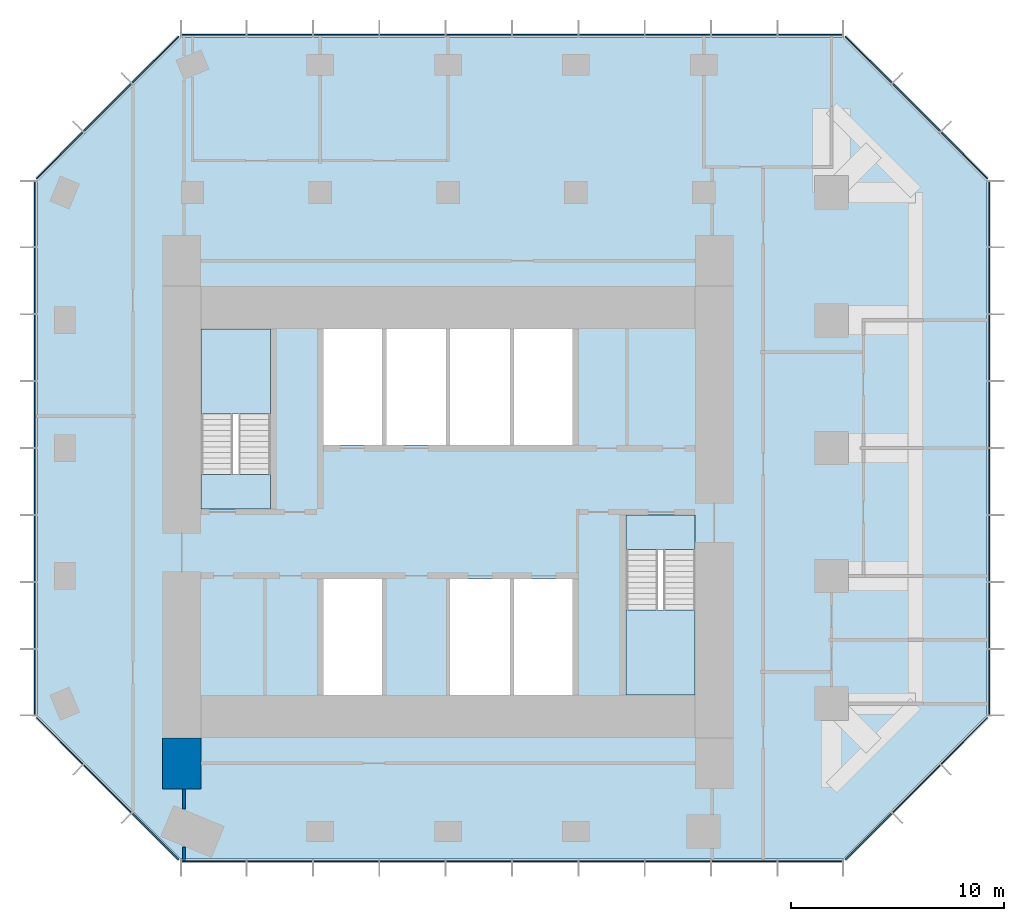
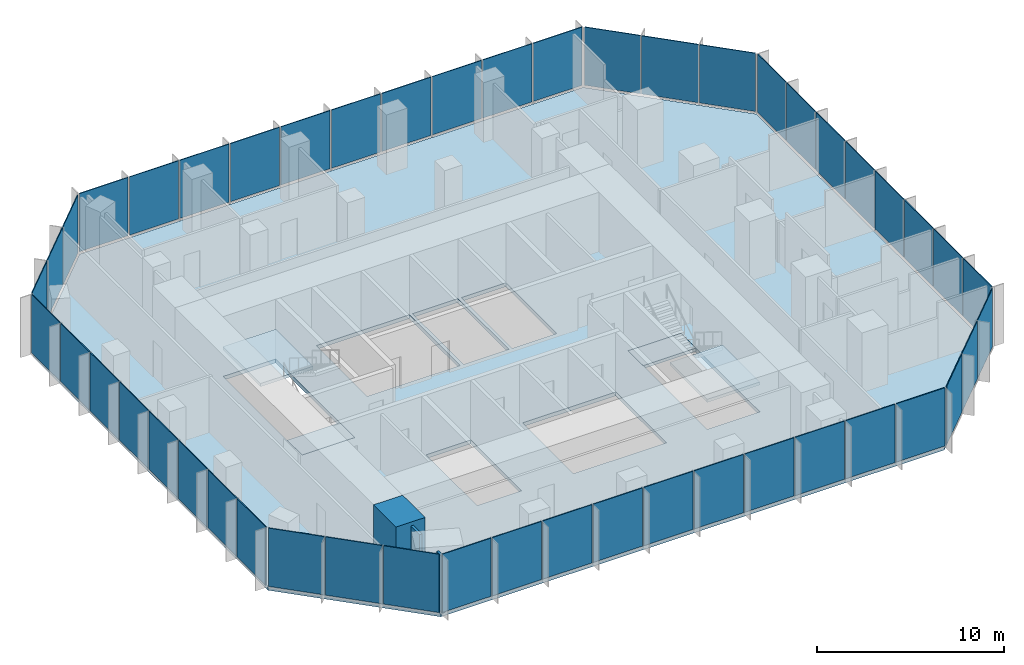
# One storey, part 7 of 11: 48 plates, 5 slabs, 3 walls, 10 elements without a shape of their own.
"""IFC4 building model written with IfcOpenShell, lengths in metres."""

from ifc_helpers import new_model, si_unit, direction, frame, frame_2d, origin, origin_2d, place, context, subcontext, project, spatial, polyline, rectangle, outline, extrude, material, layer, layer_set, type_object, element, aggregate, save


model = new_model("IFC4")

# Units and contexts
model_context = context("Model", 3, precision=1e-05, world=origin(), true_north=direction((0.0, 1.0)))
body_context = subcontext(model_context, "Body", "Model", "MODEL_VIEW")
ifc_project = project(units=[si_unit("LENGTHUNIT", "METRE"), si_unit("AREAUNIT", "SQUARE_METRE"), si_unit("VOLUMEUNIT", "CUBIC_METRE"), si_unit("PLANEANGLEUNIT", "RADIAN"), si_unit("MASSUNIT", "GRAM", prefix="KILO")], contexts=[model_context])

# Site, building, storey
site_placement = place(None, origin())
site = spatial("IfcSite", under=ifc_project, at=site_placement, CompositionType="ELEMENT")
building_placement = place(site_placement, origin())
building = spatial("IfcBuilding", under=site, at=building_placement, Name="Highveld Stack Headquarters", CompositionType="ELEMENT")
storey_placement = place(building_placement, frame((0.0, 0.0, 260.60009765625)))
storey = spatial("IfcBuildingStorey", under=building, at=storey_placement, Name="L64", CompositionType="ELEMENT", Elevation=260.60009765625)

# Curtain wall, plates
ifc_material_1 = material(Name="Aluminium bronze anodised", Category="aluminium")
ifc_layer_1 = layer(ifc_material_1, 0.199951171875)
ifc_layer_set_1 = layer_set([ifc_layer_1], Name="Aluminium bronze anodised")
curtain_wall_type = type_object("IfcCurtainWallType", Name="CW5 EXECUTIVE UNITISED CURTAIN WALL", PredefinedType="NOTDEFINED", material=ifc_layer_set_1)
curtain_wall_1_placement = place(storey_placement, origin())
curtain_wall_1 = element("IfcCurtainWall", 1, at=curtain_wall_1_placement, inside=storey, type_object=curtain_wall_type, Name="Curtain wall CW5 L64 S", PredefinedType="NOTDEFINED")
ifc_material_2 = material(Name="Glass bronze tinted triple glazed unit", Category="glass")
ifc_layer_2 = layer(ifc_material_2, 0.050048828125)
ifc_layer_set_2 = layer_set([ifc_layer_2], Name="Glass bronze tinted triple glazed unit")
plate_type = type_object("IfcPlateType", Name="CW5 PANEL BRONZE TINTED TRIPLE GLAZED UNIT", PredefinedType="CURTAIN_PANEL", material=ifc_layer_set_2)
plate_1_placement = place(storey_placement, frame((-5.005615234375, -13.39990234375, 0.10009765625), z_axis=(0.0, 0.0, 1.0), x_axis=(1.0, 0.0, 0.0)))
plate_1 = element("IfcPlate", 2, at=plate_1_placement, type_object=plate_type, Name="CW5 panel L64 1.1", PredefinedType="CURTAIN_PANEL", context=body_context, shape_type="SweptSolid", body=[
    extrude(rectangle(XDim=3.0185546875, YDim=0.050048828125, at=origin_2d()), origin(), (0.0, 0.0, 1.0), 3.800048828125),
])
plate_2_placement = place(storey_placement, frame((-1.906005859375, -13.39990234375, 0.10009765625), z_axis=(0.0, 0.0, 1.0), x_axis=(1.0, 0.0, 0.0)))
plate_2 = element("IfcPlate", 3, at=plate_2_placement, type_object=plate_type, Name="CW5 panel L64 2.1", PredefinedType="CURTAIN_PANEL", context=body_context, shape_type="SweptSolid", body=[
    extrude(rectangle(XDim=3.051025390625, YDim=0.050048828125, at=origin_2d()), origin(), (0.0, 0.0, 1.0), 3.800048828125),
])
plate_3_placement = place(storey_placement, frame((1.2099609375, -13.39990234375, 0.10009765625), z_axis=(0.0, 0.0, 1.0), x_axis=(1.0, 0.0, 0.0)))
plate_3 = element("IfcPlate", 4, at=plate_3_placement, type_object=plate_type, Name="CW5 panel L64 3.1", PredefinedType="CURTAIN_PANEL", context=body_context, shape_type="SweptSolid", body=[
    extrude(rectangle(XDim=3.051025390625, YDim=0.050048828125, at=origin_2d()), origin(), (0.0, 0.0, 1.0), 3.800048828125),
])
plate_4_placement = place(storey_placement, frame((4.325927734375, -13.39990234375, 0.10009765625), z_axis=(0.0, 0.0, 1.0), x_axis=(1.0, 0.0, 0.0)))
plate_4 = element("IfcPlate", 5, at=plate_4_placement, type_object=plate_type, Name="CW5 panel L64 4.1", PredefinedType="CURTAIN_PANEL", context=body_context, shape_type="SweptSolid", body=[
    extrude(rectangle(XDim=3.051025390625, YDim=0.050048828125, at=origin_2d()), origin(), (0.0, 0.0, 1.0), 3.800048828125),
])
plate_5_placement = place(storey_placement, frame((7.44189453125, -13.39990234375, 0.10009765625), z_axis=(0.0, 0.0, 1.0), x_axis=(1.0, 0.0, 0.0)))
plate_5 = element("IfcPlate", 6, at=plate_5_placement, type_object=plate_type, Name="CW5 panel L64 5.1", PredefinedType="CURTAIN_PANEL", context=body_context, shape_type="SweptSolid", body=[
    extrude(rectangle(XDim=3.051025390625, YDim=0.050048828125, at=origin_2d()), origin(), (0.0, 0.0, 1.0), 3.800048828125),
])
plate_6_placement = place(storey_placement, frame((10.55810546875, -13.39990234375, 0.10009765625), z_axis=(0.0, 0.0, 1.0), x_axis=(1.0, 0.0, 0.0)))
plate_6 = element("IfcPlate", 7, at=plate_6_placement, type_object=plate_type, Name="CW5 panel L64 6.1", PredefinedType="CURTAIN_PANEL", context=body_context, shape_type="SweptSolid", body=[
    extrude(rectangle(XDim=3.051025390625, YDim=0.050048828125, at=origin_2d()), origin(), (0.0, 0.0, 1.0), 3.800048828125),
])
plate_7_placement = place(storey_placement, frame((13.674072265625, -13.39990234375, 0.10009765625), z_axis=(0.0, 0.0, 1.0), x_axis=(1.0, 0.0, 0.0)))
plate_7 = element("IfcPlate", 8, at=plate_7_placement, type_object=plate_type, Name="CW5 panel L64 7.1", PredefinedType="CURTAIN_PANEL", context=body_context, shape_type="SweptSolid", body=[
    extrude(rectangle(XDim=3.051025390625, YDim=0.050048828125, at=origin_2d()), origin(), (0.0, 0.0, 1.0), 3.800048828125),
])
plate_8_placement = place(storey_placement, frame((16.789794921875, -13.39990234375, 0.10009765625), z_axis=(0.0, 0.0, 1.0), x_axis=(1.0, 0.0, 0.0)))
plate_8 = element("IfcPlate", 9, at=plate_8_placement, type_object=plate_type, Name="CW5 panel L64 8.1", PredefinedType="CURTAIN_PANEL", context=body_context, shape_type="SweptSolid", body=[
    extrude(rectangle(XDim=3.051025390625, YDim=0.050048828125, at=origin_2d()), origin(), (0.0, 0.0, 1.0), 3.800048828125),
])
plate_9_placement = place(storey_placement, frame((19.906005859375, -13.39990234375, 0.10009765625), z_axis=(0.0, 0.0, 1.0), x_axis=(1.0, 0.0, 0.0)))
plate_9 = element("IfcPlate", 10, at=plate_9_placement, type_object=plate_type, Name="CW5 panel L64 9.1", PredefinedType="CURTAIN_PANEL", context=body_context, shape_type="SweptSolid", body=[
    extrude(rectangle(XDim=3.051025390625, YDim=0.050048828125, at=origin_2d()), origin(), (0.0, 0.0, 1.0), 3.800048828125),
])
plate_10_placement = place(storey_placement, frame((23.005615234375, -13.39990234375, 0.10009765625), z_axis=(0.0, 0.0, 1.0), x_axis=(1.0, 0.0, 0.0)))
plate_10 = element("IfcPlate", 11, at=plate_10_placement, type_object=plate_type, Name="CW5 panel L64 10.1", PredefinedType="CURTAIN_PANEL", context=body_context, shape_type="SweptSolid", body=[
    extrude(rectangle(XDim=3.0185546875, YDim=0.050048828125, at=origin_2d()), origin(), (0.0, 0.0, 1.0), 3.800048828125),
])
aggregate(curtain_wall_1, [plate_1, plate_2, plate_3, plate_4, plate_5, plate_6, plate_7, plate_8, plate_9, plate_10])

curtain_wall_2_placement = place(storey_placement, origin())
curtain_wall_2 = element("IfcCurtainWall", 12, at=curtain_wall_2_placement, inside=storey, type_object=curtain_wall_type, Name="Curtain wall CW5 L64 SE", PredefinedType="NOTDEFINED")
plate_11_placement = place(storey_placement, frame((25.740478515625, -12.239501953125, 0.10009765625), z_axis=(0.0, 0.0, 1.0), x_axis=(0.707106781187, 0.707106781187, 0.0)))
plate_11 = element("IfcPlate", 13, at=plate_11_placement, type_object=plate_type, Name="CW5 panel L64 1.1", PredefinedType="CURTAIN_PANEL", context=body_context, shape_type="SweptSolid", body=[
    extrude(rectangle(XDim=3.08251953125, YDim=0.050048828125, at=origin_2d()), origin(), (0.0, 0.0, 1.0), 3.800048828125),
])
plate_12_placement = place(storey_placement, frame((27.989990234375, -9.989990234375, 0.10009765625), z_axis=(0.0, 0.0, 1.0), x_axis=(0.707106781187, 0.707106781187, 0.0)))
plate_12 = element("IfcPlate", 14, at=plate_12_placement, type_object=plate_type, Name="CW5 panel L64 2.1", PredefinedType="CURTAIN_PANEL", context=body_context, shape_type="SweptSolid", body=[
    extrude(rectangle(XDim=3.14990234375, YDim=0.050048828125, at=origin_2d()), origin(), (0.0, 0.0, 1.0), 3.800048828125),
])
plate_13_placement = place(storey_placement, frame((30.239501953125, -7.740478515625, 0.10009765625), z_axis=(0.0, 0.0, 1.0), x_axis=(0.707106781187, 0.707106781187, 0.0)))
plate_13 = element("IfcPlate", 15, at=plate_13_placement, type_object=plate_type, Name="CW5 panel L64 3.1", PredefinedType="CURTAIN_PANEL", context=body_context, shape_type="SweptSolid", body=[
    extrude(rectangle(XDim=3.08251953125, YDim=0.050048828125, at=origin_2d()), origin(), (0.0, 0.0, 1.0), 3.800048828125),
])
aggregate(curtain_wall_2, [plate_11, plate_12, plate_13])

curtain_wall_3_placement = place(storey_placement, origin())
curtain_wall_3 = element("IfcCurtainWall", 16, at=curtain_wall_3_placement, inside=storey, type_object=curtain_wall_type, Name="Curtain wall CW5 L64 E", PredefinedType="NOTDEFINED")
plate_14_placement = place(storey_placement, frame((31.39990234375, -4.9912109375, 0.10009765625), z_axis=(0.0, 0.0, 1.0), x_axis=(0.0, 1.0, 0.0)))
plate_14 = element("IfcPlate", 17, at=plate_14_placement, type_object=plate_type, Name="CW5 panel L64 1.1", PredefinedType="CURTAIN_PANEL", context=body_context, shape_type="SweptSolid", body=[
    extrude(rectangle(XDim=3.047607421875, YDim=0.050048828125, at=origin_2d()), origin(), (0.0, 0.0, 1.0), 3.800048828125),
])
plate_15_placement = place(storey_placement, frame((31.39990234375, -1.8623046875, 0.10009765625), z_axis=(0.0, 0.0, 1.0), x_axis=(0.0, 1.0, 0.0)))
plate_15 = element("IfcPlate", 18, at=plate_15_placement, type_object=plate_type, Name="CW5 panel L64 2.1", PredefinedType="CURTAIN_PANEL", context=body_context, shape_type="SweptSolid", body=[
    extrude(rectangle(XDim=3.080078125, YDim=0.050048828125, at=origin_2d()), origin(), (0.0, 0.0, 1.0), 3.800048828125),
])
plate_16_placement = place(storey_placement, frame((31.39990234375, 1.282470703125, 0.10009765625), z_axis=(0.0, 0.0, 1.0), x_axis=(0.0, 1.0, 0.0)))
plate_16 = element("IfcPlate", 19, at=plate_16_placement, type_object=plate_type, Name="CW5 panel L64 3.1", PredefinedType="CURTAIN_PANEL", context=body_context, shape_type="SweptSolid", body=[
    extrude(rectangle(XDim=3.080078125, YDim=0.050048828125, at=origin_2d()), origin(), (0.0, 0.0, 1.0), 3.800048828125),
])
plate_17_placement = place(storey_placement, frame((31.39990234375, 4.427490234375, 0.10009765625), z_axis=(0.0, 0.0, 1.0), x_axis=(0.0, 1.0, 0.0)))
plate_17 = element("IfcPlate", 20, at=plate_17_placement, type_object=plate_type, Name="CW5 panel L64 4.1", PredefinedType="CURTAIN_PANEL", context=body_context, shape_type="SweptSolid", body=[
    extrude(rectangle(XDim=3.080078125, YDim=0.050048828125, at=origin_2d()), origin(), (0.0, 0.0, 1.0), 3.800048828125),
])
plate_18_placement = place(storey_placement, frame((31.39990234375, 7.572509765625, 0.10009765625), z_axis=(0.0, 0.0, 1.0), x_axis=(0.0, 1.0, 0.0)))
plate_18 = element("IfcPlate", 21, at=plate_18_placement, type_object=plate_type, Name="CW5 panel L64 5.1", PredefinedType="CURTAIN_PANEL", context=body_context, shape_type="SweptSolid", body=[
    extrude(rectangle(XDim=3.080078125, YDim=0.050048828125, at=origin_2d()), origin(), (0.0, 0.0, 1.0), 3.800048828125),
])
plate_19_placement = place(storey_placement, frame((31.39990234375, 10.717529296875, 0.10009765625), z_axis=(0.0, 0.0, 1.0), x_axis=(0.0, 1.0, 0.0)))
plate_19 = element("IfcPlate", 22, at=plate_19_placement, type_object=plate_type, Name="CW5 panel L64 6.1", PredefinedType="CURTAIN_PANEL", context=body_context, shape_type="SweptSolid", body=[
    extrude(rectangle(XDim=3.080078125, YDim=0.050048828125, at=origin_2d()), origin(), (0.0, 0.0, 1.0), 3.800048828125),
])
plate_20_placement = place(storey_placement, frame((31.39990234375, 13.8623046875, 0.10009765625), z_axis=(0.0, 0.0, 1.0), x_axis=(0.0, 1.0, 0.0)))
plate_20 = element("IfcPlate", 23, at=plate_20_placement, type_object=plate_type, Name="CW5 panel L64 7.1", PredefinedType="CURTAIN_PANEL", context=body_context, shape_type="SweptSolid", body=[
    extrude(rectangle(XDim=3.080078125, YDim=0.050048828125, at=origin_2d()), origin(), (0.0, 0.0, 1.0), 3.800048828125),
])
plate_21_placement = place(storey_placement, frame((31.39990234375, 16.9912109375, 0.10009765625), z_axis=(0.0, 0.0, 1.0), x_axis=(0.0, 1.0, 0.0)))
plate_21 = element("IfcPlate", 24, at=plate_21_placement, type_object=plate_type, Name="CW5 panel L64 8.1", PredefinedType="CURTAIN_PANEL", context=body_context, shape_type="SweptSolid", body=[
    extrude(rectangle(XDim=3.047607421875, YDim=0.050048828125, at=origin_2d()), origin(), (0.0, 0.0, 1.0), 3.800048828125),
])
aggregate(curtain_wall_3, [plate_14, plate_15, plate_16, plate_17, plate_18, plate_19, plate_20, plate_21])

curtain_wall_4_placement = place(storey_placement, origin())
curtain_wall_4 = element("IfcCurtainWall", 25, at=curtain_wall_4_placement, inside=storey, type_object=curtain_wall_type, Name="Curtain wall CW5 L64 NE", PredefinedType="NOTDEFINED")
plate_22_placement = place(storey_placement, frame((30.239501953125, 19.740478515625, 0.10009765625), z_axis=(0.0, 0.0, 1.0), x_axis=(-0.707106781187, 0.707106781187, 0.0)))
plate_22 = element("IfcPlate", 26, at=plate_22_placement, type_object=plate_type, Name="CW5 panel L64 1.1", PredefinedType="CURTAIN_PANEL", context=body_context, shape_type="SweptSolid", body=[
    extrude(rectangle(XDim=3.08251953125, YDim=0.050048828125, at=origin_2d()), origin(), (0.0, 0.0, 1.0), 3.800048828125),
])
plate_23_placement = place(storey_placement, frame((27.989990234375, 21.989990234375, 0.10009765625), z_axis=(0.0, 0.0, 1.0), x_axis=(-0.707106781187, 0.707106781187, 0.0)))
plate_23 = element("IfcPlate", 27, at=plate_23_placement, type_object=plate_type, Name="CW5 panel L64 2.1", PredefinedType="CURTAIN_PANEL", context=body_context, shape_type="SweptSolid", body=[
    extrude(rectangle(XDim=3.14990234375, YDim=0.050048828125, at=origin_2d()), origin(), (0.0, 0.0, 1.0), 3.800048828125),
])
plate_24_placement = place(storey_placement, frame((25.740478515625, 24.239501953125, 0.10009765625), z_axis=(0.0, 0.0, 1.0), x_axis=(-0.707106781187, 0.707106781187, 0.0)))
plate_24 = element("IfcPlate", 28, at=plate_24_placement, type_object=plate_type, Name="CW5 panel L64 3.1", PredefinedType="CURTAIN_PANEL", context=body_context, shape_type="SweptSolid", body=[
    extrude(rectangle(XDim=3.08251953125, YDim=0.050048828125, at=origin_2d()), origin(), (0.0, 0.0, 1.0), 3.800048828125),
])
aggregate(curtain_wall_4, [plate_22, plate_23, plate_24])

curtain_wall_5_placement = place(storey_placement, origin())
curtain_wall_5 = element("IfcCurtainWall", 29, at=curtain_wall_5_placement, inside=storey, type_object=curtain_wall_type, Name="Curtain wall CW5 L64 N", PredefinedType="NOTDEFINED")
plate_25_placement = place(storey_placement, frame((23.005615234375, 25.39990234375, 0.10009765625), z_axis=(0.0, 0.0, 1.0), x_axis=(-1.0, 0.0, 0.0)))
plate_25 = element("IfcPlate", 30, at=plate_25_placement, type_object=plate_type, Name="CW5 panel L64 1.1", PredefinedType="CURTAIN_PANEL", context=body_context, shape_type="SweptSolid", body=[
    extrude(rectangle(XDim=3.0185546875, YDim=0.050048828125, at=origin_2d()), origin(), (0.0, 0.0, 1.0), 3.800048828125),
])
plate_26_placement = place(storey_placement, frame((19.906005859375, 25.39990234375, 0.10009765625), z_axis=(0.0, 0.0, 1.0), x_axis=(-1.0, 0.0, 0.0)))
plate_26 = element("IfcPlate", 31, at=plate_26_placement, type_object=plate_type, Name="CW5 panel L64 2.1", PredefinedType="CURTAIN_PANEL", context=body_context, shape_type="SweptSolid", body=[
    extrude(rectangle(XDim=3.051025390625, YDim=0.050048828125, at=origin_2d()), origin(), (0.0, 0.0, 1.0), 3.800048828125),
])
plate_27_placement = place(storey_placement, frame((16.7900390625, 25.39990234375, 0.10009765625), z_axis=(0.0, 0.0, 1.0), x_axis=(-1.0, 0.0, 0.0)))
plate_27 = element("IfcPlate", 32, at=plate_27_placement, type_object=plate_type, Name="CW5 panel L64 3.1", PredefinedType="CURTAIN_PANEL", context=body_context, shape_type="SweptSolid", body=[
    extrude(rectangle(XDim=3.051025390625, YDim=0.050048828125, at=origin_2d()), origin(), (0.0, 0.0, 1.0), 3.800048828125),
])
plate_28_placement = place(storey_placement, frame((13.674072265625, 25.39990234375, 0.10009765625), z_axis=(0.0, 0.0, 1.0), x_axis=(-1.0, 0.0, 0.0)))
plate_28 = element("IfcPlate", 33, at=plate_28_placement, type_object=plate_type, Name="CW5 panel L64 4.1", PredefinedType="CURTAIN_PANEL", context=body_context, shape_type="SweptSolid", body=[
    extrude(rectangle(XDim=3.051025390625, YDim=0.050048828125, at=origin_2d()), origin(), (0.0, 0.0, 1.0), 3.800048828125),
])
plate_29_placement = place(storey_placement, frame((10.55810546875, 25.39990234375, 0.10009765625), z_axis=(0.0, 0.0, 1.0), x_axis=(-1.0, 0.0, 0.0)))
plate_29 = element("IfcPlate", 34, at=plate_29_placement, type_object=plate_type, Name="CW5 panel L64 5.1", PredefinedType="CURTAIN_PANEL", context=body_context, shape_type="SweptSolid", body=[
    extrude(rectangle(XDim=3.051025390625, YDim=0.050048828125, at=origin_2d()), origin(), (0.0, 0.0, 1.0), 3.800048828125),
])
plate_30_placement = place(storey_placement, frame((7.44189453125, 25.39990234375, 0.10009765625), z_axis=(0.0, 0.0, 1.0), x_axis=(-1.0, 0.0, 0.0)))
plate_30 = element("IfcPlate", 35, at=plate_30_placement, type_object=plate_type, Name="CW5 panel L64 6.1", PredefinedType="CURTAIN_PANEL", context=body_context, shape_type="SweptSolid", body=[
    extrude(rectangle(XDim=3.051025390625, YDim=0.050048828125, at=origin_2d()), origin(), (0.0, 0.0, 1.0), 3.800048828125),
])
plate_31_placement = place(storey_placement, frame((4.325927734375, 25.39990234375, 0.10009765625), z_axis=(0.0, 0.0, 1.0), x_axis=(-1.0, 0.0, 0.0)))
plate_31 = element("IfcPlate", 36, at=plate_31_placement, type_object=plate_type, Name="CW5 panel L64 7.1", PredefinedType="CURTAIN_PANEL", context=body_context, shape_type="SweptSolid", body=[
    extrude(rectangle(XDim=3.051025390625, YDim=0.050048828125, at=origin_2d()), origin(), (0.0, 0.0, 1.0), 3.800048828125),
])
plate_32_placement = place(storey_placement, frame((1.210205078125, 25.39990234375, 0.10009765625), z_axis=(0.0, 0.0, 1.0), x_axis=(-1.0, 0.0, 0.0)))
plate_32 = element("IfcPlate", 37, at=plate_32_placement, type_object=plate_type, Name="CW5 panel L64 8.1", PredefinedType="CURTAIN_PANEL", context=body_context, shape_type="SweptSolid", body=[
    extrude(rectangle(XDim=3.051025390625, YDim=0.050048828125, at=origin_2d()), origin(), (0.0, 0.0, 1.0), 3.800048828125),
])
plate_33_placement = place(storey_placement, frame((-1.906005859375, 25.39990234375, 0.10009765625), z_axis=(0.0, 0.0, 1.0), x_axis=(-1.0, 0.0, 0.0)))
plate_33 = element("IfcPlate", 38, at=plate_33_placement, type_object=plate_type, Name="CW5 panel L64 9.1", PredefinedType="CURTAIN_PANEL", context=body_context, shape_type="SweptSolid", body=[
    extrude(rectangle(XDim=3.051025390625, YDim=0.050048828125, at=origin_2d()), origin(), (0.0, 0.0, 1.0), 3.800048828125),
])
plate_34_placement = place(storey_placement, frame((-5.005615234375, 25.39990234375, 0.10009765625), z_axis=(0.0, 0.0, 1.0), x_axis=(-1.0, 0.0, 0.0)))
plate_34 = element("IfcPlate", 39, at=plate_34_placement, type_object=plate_type, Name="CW5 panel L64 10.1", PredefinedType="CURTAIN_PANEL", context=body_context, shape_type="SweptSolid", body=[
    extrude(rectangle(XDim=3.0185546875, YDim=0.050048828125, at=origin_2d()), origin(), (0.0, 0.0, 1.0), 3.800048828125),
])
aggregate(curtain_wall_5, [plate_25, plate_26, plate_27, plate_28, plate_29, plate_30, plate_31, plate_32, plate_33, plate_34])

curtain_wall_6_placement = place(storey_placement, origin())
curtain_wall_6 = element("IfcCurtainWall", 40, at=curtain_wall_6_placement, inside=storey, type_object=curtain_wall_type, Name="Curtain wall CW5 L64 NW", PredefinedType="NOTDEFINED")
plate_35_placement = place(storey_placement, frame((-7.740478515625, 24.239501953125, 0.10009765625), z_axis=(0.0, 0.0, 1.0), x_axis=(-0.707106781187, -0.707106781187, 0.0)))
plate_35 = element("IfcPlate", 41, at=plate_35_placement, type_object=plate_type, Name="CW5 panel L64 1.1", PredefinedType="CURTAIN_PANEL", context=body_context, shape_type="SweptSolid", body=[
    extrude(rectangle(XDim=3.08251953125, YDim=0.050048828125, at=origin_2d()), origin(), (0.0, 0.0, 1.0), 3.800048828125),
])
plate_36_placement = place(storey_placement, frame((-9.989990234375, 21.989990234375, 0.10009765625), z_axis=(0.0, 0.0, 1.0), x_axis=(-0.707106781187, -0.707106781187, 0.0)))
plate_36 = element("IfcPlate", 42, at=plate_36_placement, type_object=plate_type, Name="CW5 panel L64 2.1", PredefinedType="CURTAIN_PANEL", context=body_context, shape_type="SweptSolid", body=[
    extrude(rectangle(XDim=3.14990234375, YDim=0.050048828125, at=origin_2d()), origin(), (0.0, 0.0, 1.0), 3.800048828125),
])
plate_37_placement = place(storey_placement, frame((-12.239501953125, 19.740478515625, 0.10009765625), z_axis=(0.0, 0.0, 1.0), x_axis=(-0.707106781187, -0.707106781187, 0.0)))
plate_37 = element("IfcPlate", 43, at=plate_37_placement, type_object=plate_type, Name="CW5 panel L64 3.1", PredefinedType="CURTAIN_PANEL", context=body_context, shape_type="SweptSolid", body=[
    extrude(rectangle(XDim=3.08251953125, YDim=0.050048828125, at=origin_2d()), origin(), (0.0, 0.0, 1.0), 3.800048828125),
])
aggregate(curtain_wall_6, [plate_35, plate_36, plate_37])

curtain_wall_7_placement = place(storey_placement, origin())
curtain_wall_7 = element("IfcCurtainWall", 44, at=curtain_wall_7_placement, inside=storey, type_object=curtain_wall_type, Name="Curtain wall CW5 L64 W", PredefinedType="NOTDEFINED")
plate_38_placement = place(storey_placement, frame((-13.39990234375, 16.9912109375, 0.10009765625), z_axis=(0.0, 0.0, 1.0), x_axis=(0.0, -1.0, 0.0)))
plate_38 = element("IfcPlate", 45, at=plate_38_placement, type_object=plate_type, Name="CW5 panel L64 1.1", PredefinedType="CURTAIN_PANEL", context=body_context, shape_type="SweptSolid", body=[
    extrude(rectangle(XDim=3.047607421875, YDim=0.050048828125, at=origin_2d()), origin(), (0.0, 0.0, 1.0), 3.800048828125),
])
plate_39_placement = place(storey_placement, frame((-13.39990234375, 13.8623046875, 0.10009765625), z_axis=(0.0, 0.0, 1.0), x_axis=(0.0, -1.0, 0.0)))
plate_39 = element("IfcPlate", 46, at=plate_39_placement, type_object=plate_type, Name="CW5 panel L64 2.1", PredefinedType="CURTAIN_PANEL", context=body_context, shape_type="SweptSolid", body=[
    extrude(rectangle(XDim=3.080078125, YDim=0.050048828125, at=origin_2d()), origin(), (0.0, 0.0, 1.0), 3.800048828125),
])
plate_40_placement = place(storey_placement, frame((-13.39990234375, 10.717529296875, 0.10009765625), z_axis=(0.0, 0.0, 1.0), x_axis=(0.0, -1.0, 0.0)))
plate_40 = element("IfcPlate", 47, at=plate_40_placement, type_object=plate_type, Name="CW5 panel L64 3.1", PredefinedType="CURTAIN_PANEL", context=body_context, shape_type="SweptSolid", body=[
    extrude(rectangle(XDim=3.080078125, YDim=0.050048828125, at=origin_2d()), origin(), (0.0, 0.0, 1.0), 3.800048828125),
])
plate_41_placement = place(storey_placement, frame((-13.39990234375, 7.572509765625, 0.10009765625), z_axis=(0.0, 0.0, 1.0), x_axis=(0.0, -1.0, 0.0)))
plate_41 = element("IfcPlate", 48, at=plate_41_placement, type_object=plate_type, Name="CW5 panel L64 4.1", PredefinedType="CURTAIN_PANEL", context=body_context, shape_type="SweptSolid", body=[
    extrude(rectangle(XDim=3.080078125, YDim=0.050048828125, at=origin_2d()), origin(), (0.0, 0.0, 1.0), 3.800048828125),
])
plate_42_placement = place(storey_placement, frame((-13.39990234375, 4.427490234375, 0.10009765625), z_axis=(0.0, 0.0, 1.0), x_axis=(0.0, -1.0, 0.0)))
plate_42 = element("IfcPlate", 49, at=plate_42_placement, type_object=plate_type, Name="CW5 panel L64 5.1", PredefinedType="CURTAIN_PANEL", context=body_context, shape_type="SweptSolid", body=[
    extrude(rectangle(XDim=3.080078125, YDim=0.050048828125, at=origin_2d()), origin(), (0.0, 0.0, 1.0), 3.800048828125),
])
plate_43_placement = place(storey_placement, frame((-13.39990234375, 1.282470703125, 0.10009765625), z_axis=(0.0, 0.0, 1.0), x_axis=(0.0, -1.0, 0.0)))
plate_43 = element("IfcPlate", 50, at=plate_43_placement, type_object=plate_type, Name="CW5 panel L64 6.1", PredefinedType="CURTAIN_PANEL", context=body_context, shape_type="SweptSolid", body=[
    extrude(rectangle(XDim=3.080078125, YDim=0.050048828125, at=origin_2d()), origin(), (0.0, 0.0, 1.0), 3.800048828125),
])
plate_44_placement = place(storey_placement, frame((-13.39990234375, -1.8623046875, 0.10009765625), z_axis=(0.0, 0.0, 1.0), x_axis=(0.0, -1.0, 0.0)))
plate_44 = element("IfcPlate", 51, at=plate_44_placement, type_object=plate_type, Name="CW5 panel L64 7.1", PredefinedType="CURTAIN_PANEL", context=body_context, shape_type="SweptSolid", body=[
    extrude(rectangle(XDim=3.080078125, YDim=0.050048828125, at=origin_2d()), origin(), (0.0, 0.0, 1.0), 3.800048828125),
])
plate_45_placement = place(storey_placement, frame((-13.39990234375, -4.9912109375, 0.10009765625), z_axis=(0.0, 0.0, 1.0), x_axis=(0.0, -1.0, 0.0)))
plate_45 = element("IfcPlate", 52, at=plate_45_placement, type_object=plate_type, Name="CW5 panel L64 8.1", PredefinedType="CURTAIN_PANEL", context=body_context, shape_type="SweptSolid", body=[
    extrude(rectangle(XDim=3.047607421875, YDim=0.050048828125, at=origin_2d()), origin(), (0.0, 0.0, 1.0), 3.800048828125),
])
aggregate(curtain_wall_7, [plate_38, plate_39, plate_40, plate_41, plate_42, plate_43, plate_44, plate_45])

curtain_wall_8_placement = place(storey_placement, origin())
curtain_wall_8 = element("IfcCurtainWall", 53, at=curtain_wall_8_placement, inside=storey, type_object=curtain_wall_type, Name="Curtain wall CW5 L64 SW", PredefinedType="NOTDEFINED")
plate_46_placement = place(storey_placement, frame((-12.239501953125, -7.740478515625, 0.10009765625), z_axis=(0.0, 0.0, 1.0), x_axis=(0.707106781187, -0.707106781187, 0.0)))
plate_46 = element("IfcPlate", 54, at=plate_46_placement, type_object=plate_type, Name="CW5 panel L64 1.1", PredefinedType="CURTAIN_PANEL", context=body_context, shape_type="SweptSolid", body=[
    extrude(rectangle(XDim=3.08251953125, YDim=0.050048828125, at=origin_2d()), origin(), (0.0, 0.0, 1.0), 3.800048828125),
])
plate_47_placement = place(storey_placement, frame((-9.989990234375, -9.989990234375, 0.10009765625), z_axis=(0.0, 0.0, 1.0), x_axis=(0.707106781187, -0.707106781187, 0.0)))
plate_47 = element("IfcPlate", 55, at=plate_47_placement, type_object=plate_type, Name="CW5 panel L64 2.1", PredefinedType="CURTAIN_PANEL", context=body_context, shape_type="SweptSolid", body=[
    extrude(rectangle(XDim=3.14990234375, YDim=0.050048828125, at=origin_2d()), origin(), (0.0, 0.0, 1.0), 3.800048828125),
])
plate_48_placement = place(storey_placement, frame((-7.740478515625, -12.239501953125, 0.10009765625), z_axis=(0.0, 0.0, 1.0), x_axis=(0.707106781187, -0.707106781187, 0.0)))
plate_48 = element("IfcPlate", 56, at=plate_48_placement, type_object=plate_type, Name="CW5 panel L64 3.1", PredefinedType="CURTAIN_PANEL", context=body_context, shape_type="SweptSolid", body=[
    extrude(rectangle(XDim=3.08251953125, YDim=0.050048828125, at=origin_2d()), origin(), (0.0, 0.0, 1.0), 3.800048828125),
])
aggregate(curtain_wall_8, [plate_46, plate_47, plate_48])

# Slab
ifc_material_3 = material(Name="Concrete C60/75", Category="concrete")
ifc_layer_3 = layer(ifc_material_3, 0.25)
ifc_layer_set_3 = layer_set([ifc_layer_3], Name="Concrete C60/75")
slab_type_1 = type_object("IfcSlabType", Name="PT FLAT SLAB 250", PredefinedType="FLOOR", material=ifc_layer_set_3)
slab_1_placement = place(storey_placement, frame((0.0, 0.0, -0.25)))
element("IfcSlab", 57, at=slab_1_placement, inside=storey, type_object=slab_type_1, Name="Floor slab L64", PredefinedType="FLOOR", context=body_context, shape_type="SweptSolid", body=[
    extrude(outline(polyline([(-6.53857421875, -13.300048828125), (24.53857421875, -13.300048828125), (31.300048828125, -6.53857421875), (31.300048828125, 18.53857421875), (24.53857421875, 25.300048828125), (-6.53857421875, 25.300048828125), (-13.300048828125, 18.53857421875), (-13.300048828125, -6.53857421875), (-6.53857421875, -13.300048828125)]), holes=[polyline([(0.14990234375, 6.14990234375), (5.89990234375, 6.14990234375), (5.89990234375, 11.60009765625), (0.14990234375, 11.60009765625), (0.14990234375, 6.14990234375)]), polyline([(9.10009765625, 6.14990234375), (11.85009765625, 6.14990234375), (11.85009765625, 11.60009765625), (9.10009765625, 11.60009765625), (9.10009765625, 6.14990234375)]), polyline([(6.10009765625, 6.14990234375), (8.89990234375, 6.14990234375), (8.89990234375, 11.60009765625), (6.10009765625, 11.60009765625), (6.10009765625, 6.14990234375)]), polyline([(6.10009765625, -5.60009765625), (11.85009765625, -5.60009765625), (11.85009765625, -0.14990234375), (6.10009765625, -0.14990234375), (6.10009765625, -5.60009765625)]), polyline([(0.14990234375, -5.60009765625), (2.89990234375, -5.60009765625), (2.89990234375, -0.14990234375), (0.14990234375, -0.14990234375), (0.14990234375, -5.60009765625)]), polyline([(-5.60009765625, 3.14990234375), (-2.35009765625, 3.14990234375), (-2.35009765625, 11.60009765625), (-5.60009765625, 11.60009765625), (-5.60009765625, 3.14990234375)]), polyline([(14.35009765625, -5.60009765625), (17.60009765625, -5.60009765625), (17.60009765625, 2.85009765625), (14.35009765625, 2.85009765625), (14.35009765625, -5.60009765625)])]), origin(), (0.0, 0.0, 1.0), 0.25),
])

# Stair, slabs
ifc_material_4 = material(Name="Concrete C40/50, precast", Category="concrete")
stair_type_1 = type_object("IfcStairType", Name="STAIR S1 HALF TURN 1500", PredefinedType="HALF_TURN_STAIR", material=ifc_material_4)
stair_1_placement = place(storey_placement, origin())
stair_1 = element("IfcStair", 58, at=stair_1_placement, inside=storey, type_object=stair_type_1, Name="Stair S1 L64", PredefinedType="HALF_TURN_STAIR")
ifc_material_5 = material(Name="Concrete C40/50, precast", Category="concrete")
ifc_layer_4 = layer(ifc_material_5, 0.199951171875)
ifc_layer_set_4 = layer_set([ifc_layer_4], Name="Concrete C40/50, precast")
slab_type_2 = type_object("IfcSlabType", Name="STAIR LANDING 200", PredefinedType="LANDING", material=ifc_layer_set_4)
slab_2_placement = place(storey_placement, frame((0.0, 0.0, 1.75)))
slab_2 = element("IfcSlab", 59, at=slab_2_placement, type_object=slab_type_2, Name="S1 landing 1", PredefinedType="LANDING", context=body_context, shape_type="SweptSolid", body=[
    extrude(outline(polyline([(-5.60009765625, 7.610107421875), (-2.35009765625, 7.610107421875), (-2.35009765625, 11.60009765625), (-5.60009765625, 11.60009765625), (-5.60009765625, 7.610107421875)])), origin(), (0.0, 0.0, 1.0), 0.199951171875),
])
slab_3_placement = place(storey_placement, frame((0.0, 0.0, -0.2001953125)))
slab_3 = element("IfcSlab", 60, at=slab_3_placement, type_object=slab_type_2, Name="S1 landing 2", PredefinedType="LANDING", context=body_context, shape_type="SweptSolid", body=[
    extrude(outline(polyline([(-5.60009765625, 3.14990234375), (-2.35009765625, 3.14990234375), (-2.35009765625, 4.75), (-5.60009765625, 4.75), (-5.60009765625, 3.14990234375)])), origin(), (0.0, 0.0, 1.0), 0.2001953125),
])
aggregate(stair_1, [slab_2, slab_3])

ifc_material_6 = material(Name="Concrete C40/50, precast", Category="concrete")
stair_type_2 = type_object("IfcStairType", Name="STAIR S2 HALF TURN 1500", PredefinedType="HALF_TURN_STAIR", material=ifc_material_6)
stair_2_placement = place(storey_placement, origin())
stair_2 = element("IfcStair", 61, at=stair_2_placement, inside=storey, type_object=stair_type_2, Name="Stair S2 L64", PredefinedType="HALF_TURN_STAIR")
slab_4_placement = place(storey_placement, frame((0.0, 0.0, 1.75)))
slab_4 = element("IfcSlab", 62, at=slab_4_placement, type_object=slab_type_2, Name="S2 landing 1", PredefinedType="LANDING", context=body_context, shape_type="SweptSolid", body=[
    extrude(outline(polyline([(14.35009765625, -5.60009765625), (17.60009765625, -5.60009765625), (17.60009765625, -1.610107421875), (14.35009765625, -1.610107421875), (14.35009765625, -5.60009765625)])), origin(), (0.0, 0.0, 1.0), 0.199951171875),
])
slab_5_placement = place(storey_placement, frame((0.0, 0.0, -0.2001953125)))
slab_5 = element("IfcSlab", 63, at=slab_5_placement, type_object=slab_type_2, Name="S2 landing 2", PredefinedType="LANDING", context=body_context, shape_type="SweptSolid", body=[
    extrude(outline(polyline([(14.35009765625, 1.25), (17.60009765625, 1.25), (17.60009765625, 2.85009765625), (14.35009765625, 2.85009765625), (14.35009765625, 1.25)])), origin(), (0.0, 0.0, 1.0), 0.2001953125),
])
aggregate(stair_2, [slab_4, slab_5])

# Walls
ifc_material_7 = material(Name="Concrete C60/75", Category="concrete")
ifc_layer_5 = layer(ifc_material_7, 1.800048828125)
ifc_layer_set_5 = layer_set([ifc_layer_5], Name="Concrete C60/75")
wall_type_1 = type_object("IfcWallType", Name="CORE WING WALL 1800 C60/75", PredefinedType="SHEAR", material=ifc_layer_set_5)
wall_1_placement = place(storey_placement, frame((-6.5, -10.0, 0.0), z_axis=(0.0, 0.0, 1.0), x_axis=(0.0, 1.0, 0.0)))
element("IfcWall", 64, at=wall_1_placement, inside=storey, type_object=wall_type_1, Name="Core wing wall WS L64", PredefinedType="SHEAR", context=body_context, shape_type="SweptSolid", body=[
    extrude(rectangle(XDim=2.39990234375, YDim=1.800048828125, at=frame_2d((1.199951171875, 0.0))), origin(), (0.0, 0.0, 1.0), 3.89990234375),
])
ifc_material_8 = material(Name="Gypsum plasterboard on steel studs", Category="steel")
ifc_layer_6 = layer(ifc_material_8, 0.14990234375)
ifc_layer_set_6 = layer_set([ifc_layer_6], Name="Gypsum plasterboard on steel studs")
wall_type_2 = type_object("IfcWallType", Name="PARTITION 150 PLASTERBOARD", PredefinedType="PARTITIONING", material=ifc_layer_set_6)
wall_2_placement = place(storey_placement, frame((-6.39990234375, -13.375, 0.0), z_axis=(0.0, 0.0, 1.0), x_axis=(0.0, 1.0, 0.0)))
element("IfcWall", 65, at=wall_2_placement, inside=storey, type_object=wall_type_2, Name="Partition office neighbourhood L64", PredefinedType="PARTITIONING", context=body_context, shape_type="SweptSolid", body=[
    extrude(rectangle(XDim=0.643798828125, YDim=0.14990234375, at=frame_2d((0.32177734375, 0.0))), origin(), (0.0, 0.0, 1.0), 3.64990234375),
])
wall_3_placement = place(storey_placement, frame((-6.39990234375, -10.937255859375, 0.0), z_axis=(0.0, 0.0, 1.0), x_axis=(0.0, 1.0, 0.0)))
element("IfcWall", 66, at=wall_3_placement, inside=storey, type_object=wall_type_2, Name="Partition office neighbourhood L64", PredefinedType="PARTITIONING", context=body_context, shape_type="SweptSolid", body=[
    extrude(rectangle(XDim=0.937255859375, YDim=0.14990234375, at=frame_2d((0.46875, 0.0))), origin(), (0.0, 0.0, 1.0), 3.64990234375),
])

save(model, "model.ifc")
